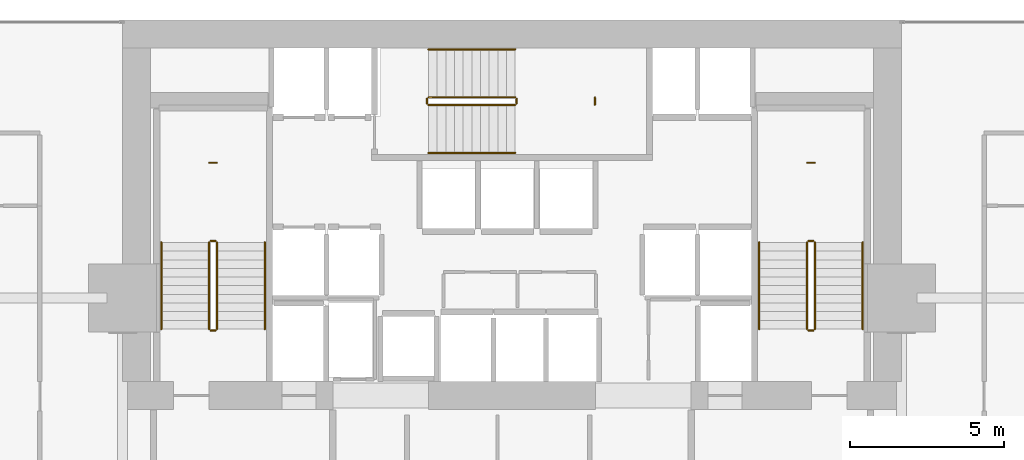
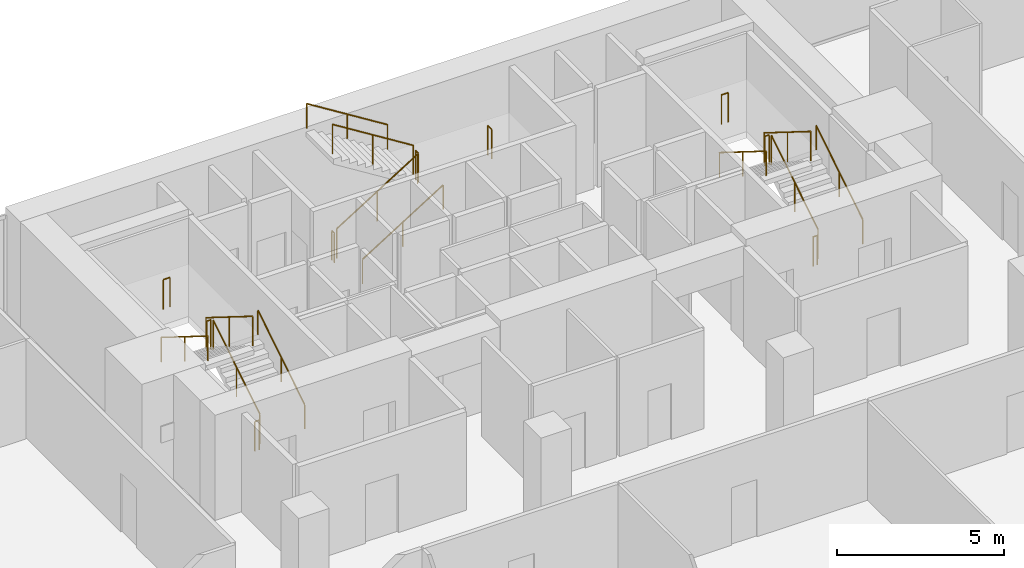
# One storey, part 40 of 40: 21 railings.
"""IFC4 building model written with IfcOpenShell, lengths in metres."""

from ifc_helpers import new_model, si_unit, direction, frame, origin, origin_2d, place, context, subcontext, project, spatial, circle, extrude, material, type_object, element, save


model = new_model("IFC4")

# Units and contexts
model_context = context("Model", 3, precision=1e-05, world=origin(), true_north=direction((0.0, 1.0)))
body_context = subcontext(model_context, "Body", "Model", "MODEL_VIEW")
ifc_project = project(units=[si_unit("LENGTHUNIT", "METRE"), si_unit("AREAUNIT", "SQUARE_METRE"), si_unit("VOLUMEUNIT", "CUBIC_METRE"), si_unit("PLANEANGLEUNIT", "RADIAN"), si_unit("MASSUNIT", "GRAM", prefix="KILO")], contexts=[model_context])

# Site, building, storey
site_placement = place(None, origin())
site = spatial("IfcSite", under=ifc_project, at=site_placement, CompositionType="ELEMENT")
building_placement = place(site_placement, origin())
building = spatial("IfcBuilding", under=site, at=building_placement, Name="Maruvema Waterfront Hotel and Observation Tower", CompositionType="ELEMENT")
storey_placement = place(building_placement, frame((0.0, 0.0, 73.14990234375)))
storey = spatial("IfcBuildingStorey", under=building, at=storey_placement, Name="L17", CompositionType="ELEMENT", Elevation=73.14990234375)

# Railings
ifc_material_1 = material(Name="Brushed stainless steel Grade 316", Category="steel")
railing_type_1 = type_object("IfcRailingType", Name="Ramp Continuous Wall Handrail 920 mm", PredefinedType="HANDRAIL", material=ifc_material_1)
railing_1_placement = place(storey_placement, frame((29.800048828125, 44.0, 0.175048828125)))
element("IfcRailing", 1, at=railing_1_placement, inside=storey, type_object=railing_type_1, Name="L17 ST-01 stair handrail 1", PredefinedType="HANDRAIL", context=body_context, shape_type="SweptSolid", body=[
    extrude(circle(Radius=0.02392578125, at=origin_2d()), frame((0.0, 0.0, 0.89599609375), z_axis=(0.0, 0.848002457836, 0.529992293815), x_axis=(-1.0, 0.0, 0.0)), (0.0, 0.0, 1.0), 3.302001953125),
    extrude(circle(Radius=0.02099609375, at=origin_2d()), origin(), (0.0, 0.0, 1.0), 0.871826171875),
    extrude(circle(Radius=0.02099609375, at=origin_2d()), frame((0.0, 1.39990234375, 0.875)), (0.0, 0.0, 1.0), 0.871826171875),
    extrude(circle(Radius=0.02099609375, at=origin_2d()), frame((0.0, 2.800048828125, 1.75)), (0.0, 0.0, 1.0), 0.871826171875),
])
railing_2_placement = place(storey_placement, frame((26.449951171875, 46.800048828125, 2.10009765625)))
element("IfcRailing", 2, at=railing_2_placement, inside=storey, type_object=railing_type_1, Name="L17 ST-01 stair handrail 2", PredefinedType="HANDRAIL", context=body_context, shape_type="SweptSolid", body=[
    extrude(circle(Radius=0.02392578125, at=origin_2d()), frame((0.0, 0.0, 0.89599609375), z_axis=(0.0, -0.848002457836, 0.529992293815), x_axis=(1.0, 0.0, 0.0)), (0.0, 0.0, 1.0), 3.302001953125),
    extrude(circle(Radius=0.02099609375, at=origin_2d()), origin(), (0.0, 0.0, 1.0), 0.871826171875),
    extrude(circle(Radius=0.02099609375, at=origin_2d()), frame((0.0, -1.39990234375, 0.875)), (0.0, 0.0, 1.0), 0.871826171875),
    extrude(circle(Radius=0.02099609375, at=origin_2d()), frame((0.0, -2.800048828125, 1.75)), (0.0, 0.0, 1.0), 0.871826171875),
])
railing_3_placement = place(storey_placement, frame((35.10009765625, 49.699951171875, 0.175048828125)))
element("IfcRailing", 3, at=railing_3_placement, inside=storey, type_object=railing_type_1, Name="L17 ST-02 stair handrail 1", PredefinedType="HANDRAIL", context=body_context, shape_type="SweptSolid", body=[
    extrude(circle(Radius=0.02392578125, at=origin_2d()), frame((0.0, 0.0, 0.89599609375), z_axis=(0.847981687118, 0.0, 0.530025526095), x_axis=(0.0, 1.0, 0.0)), (0.0, 0.0, 1.0), 3.3017578125),
    extrude(circle(Radius=0.02099609375, at=origin_2d()), origin(), (0.0, 0.0, 1.0), 0.871826171875),
    extrude(circle(Radius=0.02099609375, at=origin_2d()), frame((1.39990234375, 0.0, 0.875)), (0.0, 0.0, 1.0), 0.871826171875),
    extrude(circle(Radius=0.02099609375, at=origin_2d()), frame((2.7998046875, 0.0, 1.75)), (0.0, 0.0, 1.0), 0.871826171875),
])
railing_4_placement = place(storey_placement, frame((37.89990234375, 53.050048828125, 2.10009765625)))
element("IfcRailing", 4, at=railing_4_placement, inside=storey, type_object=railing_type_1, Name="L17 ST-02 stair handrail 2", PredefinedType="HANDRAIL", context=body_context, shape_type="SweptSolid", body=[
    extrude(circle(Radius=0.02392578125, at=origin_2d()), frame((0.0, 0.0, 0.89599609375), z_axis=(-0.847981687118, 0.0, 0.530025526095), x_axis=(0.0, -1.0, 0.0)), (0.0, 0.0, 1.0), 3.3017578125),
    extrude(circle(Radius=0.02099609375, at=origin_2d()), origin(), (0.0, 0.0, 1.0), 0.871826171875),
    extrude(circle(Radius=0.02099609375, at=origin_2d()), frame((-1.39990234375, 0.0, 0.875)), (0.0, 0.0, 1.0), 0.871826171875),
    extrude(circle(Radius=0.02099609375, at=origin_2d()), frame((-2.7998046875, 0.0, 1.75)), (0.0, 0.0, 1.0), 0.871826171875),
])
railing_5_placement = place(storey_placement, frame((49.14990234375, 44.0, 0.175048828125)))
element("IfcRailing", 5, at=railing_5_placement, inside=storey, type_object=railing_type_1, Name="L17 ST-03 stair handrail 1", PredefinedType="HANDRAIL", context=body_context, shape_type="SweptSolid", body=[
    extrude(circle(Radius=0.02392578125, at=origin_2d()), frame((0.0, 0.0, 0.89599609375), z_axis=(0.0, 0.848002457836, 0.529992293815), x_axis=(-1.0, 0.0, 0.0)), (0.0, 0.0, 1.0), 3.302001953125),
    extrude(circle(Radius=0.02099609375, at=origin_2d()), origin(), (0.0, 0.0, 1.0), 0.871826171875),
    extrude(circle(Radius=0.02099609375, at=origin_2d()), frame((0.0, 1.39990234375, 0.875)), (0.0, 0.0, 1.0), 0.871826171875),
    extrude(circle(Radius=0.02099609375, at=origin_2d()), frame((0.0, 2.800048828125, 1.75)), (0.0, 0.0, 1.0), 0.871826171875),
])
railing_6_placement = place(storey_placement, frame((45.800048828125, 46.800048828125, 2.10009765625)))
element("IfcRailing", 6, at=railing_6_placement, inside=storey, type_object=railing_type_1, Name="L17 ST-03 stair handrail 2", PredefinedType="HANDRAIL", context=body_context, shape_type="SweptSolid", body=[
    extrude(circle(Radius=0.02392578125, at=origin_2d()), frame((0.0, 0.0, 0.89599609375), z_axis=(0.0, -0.848002457836, 0.529992293815), x_axis=(1.0, 0.0, 0.0)), (0.0, 0.0, 1.0), 3.302001953125),
    extrude(circle(Radius=0.02099609375, at=origin_2d()), origin(), (0.0, 0.0, 1.0), 0.871826171875),
    extrude(circle(Radius=0.02099609375, at=origin_2d()), frame((0.0, -1.39990234375, 0.875)), (0.0, 0.0, 1.0), 0.871826171875),
    extrude(circle(Radius=0.02099609375, at=origin_2d()), frame((0.0, -2.800048828125, 1.75)), (0.0, 0.0, 1.0), 0.871826171875),
])
ifc_material_2 = material(Name="Brushed stainless steel Grade 316", Category="steel")
railing_type_2 = type_object("IfcRailingType", Name="Ramp and Terrace Guard Balustrade 1100 mm", PredefinedType="BALUSTRADE", material=ifc_material_2)
railing_7_placement = place(storey_placement, frame((28.25, 44.0, 0.175048828125)))
element("IfcRailing", 7, at=railing_7_placement, inside=storey, type_object=railing_type_2, Name="L17 ST-01 stair guard 1", PredefinedType="BALUSTRADE", context=body_context, shape_type="SweptSolid", body=[
    extrude(circle(Radius=0.02392578125, at=origin_2d()), frame((0.0, 0.0, 1.076171875), z_axis=(0.0, 0.848002457836, 0.529992293815), x_axis=(-1.0, 0.0, 0.0)), (0.0, 0.0, 1.0), 3.302001953125),
    extrude(circle(Radius=0.02099609375, at=origin_2d()), origin(), (0.0, 0.0, 1.0), 1.052001953125),
    extrude(circle(Radius=0.02099609375, at=origin_2d()), frame((0.0, 1.39990234375, 0.875)), (0.0, 0.0, 1.0), 1.052001953125),
    extrude(circle(Radius=0.02099609375, at=origin_2d()), frame((0.0, 2.800048828125, 1.75)), (0.0, 0.0, 1.0), 1.052001953125),
])
railing_8_placement = place(storey_placement, frame((28.199951171875, 46.85009765625, 1.925048828125)))
element("IfcRailing", 8, at=railing_8_placement, inside=storey, type_object=railing_type_2, Name="L17 ST-01 stair guard 2", PredefinedType="BALUSTRADE", context=body_context, shape_type="SweptSolid", body=[
    extrude(circle(Radius=0.02392578125, at=origin_2d()), frame((0.0, 0.0, 1.076171875), z_axis=(-1.0, 0.0, 0.0), x_axis=(0.0, -1.0, 0.0)), (0.0, 0.0, 1.0), 0.14990234375),
    extrude(circle(Radius=0.02099609375, at=origin_2d()), origin(), (0.0, 0.0, 1.0), 1.052001953125),
    extrude(circle(Radius=0.02099609375, at=origin_2d()), frame((-0.14990234375, 0.0, 0.0)), (0.0, 0.0, 1.0), 1.052001953125),
])
railing_9_placement = place(storey_placement, frame((28.0, 46.800048828125, 2.10009765625)))
element("IfcRailing", 9, at=railing_9_placement, inside=storey, type_object=railing_type_2, Name="L17 ST-01 stair guard 3", PredefinedType="BALUSTRADE", context=body_context, shape_type="SweptSolid", body=[
    extrude(circle(Radius=0.02392578125, at=origin_2d()), frame((0.0, 0.0, 1.076171875), z_axis=(0.0, -0.848002457836, 0.529992293815), x_axis=(1.0, 0.0, 0.0)), (0.0, 0.0, 1.0), 3.302001953125),
    extrude(circle(Radius=0.02099609375, at=origin_2d()), origin(), (0.0, 0.0, 1.0), 1.052001953125),
    extrude(circle(Radius=0.02099609375, at=origin_2d()), frame((0.0, -1.39990234375, 0.875)), (0.0, 0.0, 1.0), 1.052001953125),
    extrude(circle(Radius=0.02099609375, at=origin_2d()), frame((0.0, -2.800048828125, 1.75)), (0.0, 0.0, 1.0), 1.052001953125),
])
railing_10_placement = place(storey_placement, frame((28.199951171875, 43.949951171875, 0.0)))
element("IfcRailing", 10, at=railing_10_placement, inside=storey, type_object=railing_type_2, Name="L17 ST-01 stair guard 4", PredefinedType="BALUSTRADE", context=body_context, shape_type="SweptSolid", body=[
    extrude(circle(Radius=0.02392578125, at=origin_2d()), frame((0.0, 0.0, 1.076171875), z_axis=(-1.0, 0.0, 0.0), x_axis=(0.0, -1.0, 0.0)), (0.0, 0.0, 1.0), 0.14990234375),
    extrude(circle(Radius=0.02099609375, at=origin_2d()), origin(), (0.0, 0.0, 1.0), 1.052001953125),
    extrude(circle(Radius=0.02099609375, at=origin_2d()), frame((-0.14990234375, 0.0, 0.0)), (0.0, 0.0, 1.0), 1.052001953125),
])
railing_11_placement = place(storey_placement, frame((28.239990234375, 49.3798828125, 1.925048828125)))
element("IfcRailing", 11, at=railing_11_placement, inside=storey, type_object=railing_type_2, Name="L17 ST-01 Half-Landing Slot Guard", PredefinedType="BALUSTRADE", context=body_context, shape_type="SweptSolid", body=[
    extrude(circle(Radius=0.02392578125, at=origin_2d()), frame((0.0, 0.0, 1.076171875), z_axis=(-1.0, 0.0, 0.0), x_axis=(0.0, -1.0, 0.0)), (0.0, 0.0, 1.0), 0.22998046875),
    extrude(circle(Radius=0.02099609375, at=origin_2d()), origin(), (0.0, 0.0, 1.0), 1.052001953125),
    extrude(circle(Radius=0.02099609375, at=origin_2d()), frame((-0.22998046875, 0.0, 0.0)), (0.0, 0.0, 1.0), 1.052001953125),
])
railing_12_placement = place(storey_placement, frame((35.10009765625, 51.25, 0.175048828125)))
element("IfcRailing", 12, at=railing_12_placement, inside=storey, type_object=railing_type_2, Name="L17 ST-02 stair guard 1", PredefinedType="BALUSTRADE", context=body_context, shape_type="SweptSolid", body=[
    extrude(circle(Radius=0.02392578125, at=origin_2d()), frame((0.0, 0.0, 1.076171875), z_axis=(0.847981687118, 0.0, 0.530025526095), x_axis=(0.0, 1.0, 0.0)), (0.0, 0.0, 1.0), 3.3017578125),
    extrude(circle(Radius=0.02099609375, at=origin_2d()), origin(), (0.0, 0.0, 1.0), 1.052001953125),
    extrude(circle(Radius=0.02099609375, at=origin_2d()), frame((1.39990234375, 0.0, 0.875)), (0.0, 0.0, 1.0), 1.052001953125),
    extrude(circle(Radius=0.02099609375, at=origin_2d()), frame((2.7998046875, 0.0, 1.75)), (0.0, 0.0, 1.0), 1.052001953125),
])
railing_13_placement = place(storey_placement, frame((37.949951171875, 51.300048828125, 1.925048828125)))
element("IfcRailing", 13, at=railing_13_placement, inside=storey, type_object=railing_type_2, Name="L17 ST-02 stair guard 2", PredefinedType="BALUSTRADE", context=body_context, shape_type="SweptSolid", body=[
    extrude(circle(Radius=0.02392578125, at=origin_2d()), frame((0.0, 0.0, 1.076171875), z_axis=(0.0, 1.0, 0.0), x_axis=(-1.0, 0.0, 0.0)), (0.0, 0.0, 1.0), 0.14990234375),
    extrude(circle(Radius=0.02099609375, at=origin_2d()), origin(), (0.0, 0.0, 1.0), 1.052001953125),
    extrude(circle(Radius=0.02099609375, at=origin_2d()), frame((0.0, 0.14990234375, 0.0)), (0.0, 0.0, 1.0), 1.052001953125),
])
railing_14_placement = place(storey_placement, frame((37.89990234375, 51.5, 2.10009765625)))
element("IfcRailing", 14, at=railing_14_placement, inside=storey, type_object=railing_type_2, Name="L17 ST-02 stair guard 3", PredefinedType="BALUSTRADE", context=body_context, shape_type="SweptSolid", body=[
    extrude(circle(Radius=0.02392578125, at=origin_2d()), frame((0.0, 0.0, 1.076171875), z_axis=(-0.847981687118, 0.0, 0.530025526095), x_axis=(0.0, -1.0, 0.0)), (0.0, 0.0, 1.0), 3.3017578125),
    extrude(circle(Radius=0.02099609375, at=origin_2d()), origin(), (0.0, 0.0, 1.0), 1.052001953125),
    extrude(circle(Radius=0.02099609375, at=origin_2d()), frame((-1.39990234375, 0.0, 0.875)), (0.0, 0.0, 1.0), 1.052001953125),
    extrude(circle(Radius=0.02099609375, at=origin_2d()), frame((-2.7998046875, 0.0, 1.75)), (0.0, 0.0, 1.0), 1.052001953125),
])
railing_15_placement = place(storey_placement, frame((35.050048828125, 51.300048828125, 0.0)))
element("IfcRailing", 15, at=railing_15_placement, inside=storey, type_object=railing_type_2, Name="L17 ST-02 stair guard 4", PredefinedType="BALUSTRADE", context=body_context, shape_type="SweptSolid", body=[
    extrude(circle(Radius=0.02392578125, at=origin_2d()), frame((0.0, 0.0, 1.076171875), z_axis=(0.0, 1.0, 0.0), x_axis=(-1.0, 0.0, 0.0)), (0.0, 0.0, 1.0), 0.14990234375),
    extrude(circle(Radius=0.02099609375, at=origin_2d()), origin(), (0.0, 0.0, 1.0), 1.052001953125),
    extrude(circle(Radius=0.02099609375, at=origin_2d()), frame((0.0, 0.14990234375, 0.0)), (0.0, 0.0, 1.0), 1.052001953125),
])
railing_16_placement = place(storey_placement, frame((40.47998046875, 51.260009765625, 1.925048828125)))
element("IfcRailing", 16, at=railing_16_placement, inside=storey, type_object=railing_type_2, Name="L17 ST-02 Half-Landing Slot Guard", PredefinedType="BALUSTRADE", context=body_context, shape_type="SweptSolid", body=[
    extrude(circle(Radius=0.02392578125, at=origin_2d()), frame((0.0, 0.0, 1.076171875), z_axis=(0.0, 1.0, 0.0), x_axis=(-1.0, 0.0, 0.0)), (0.0, 0.0, 1.0), 0.22998046875),
    extrude(circle(Radius=0.02099609375, at=origin_2d()), origin(), (0.0, 0.0, 1.0), 1.052001953125),
    extrude(circle(Radius=0.02099609375, at=origin_2d()), frame((0.0, 0.22998046875, 0.0)), (0.0, 0.0, 1.0), 1.052001953125),
])
railing_17_placement = place(storey_placement, frame((47.60009765625, 44.0, 0.175048828125)))
element("IfcRailing", 17, at=railing_17_placement, inside=storey, type_object=railing_type_2, Name="L17 ST-03 stair guard 1", PredefinedType="BALUSTRADE", context=body_context, shape_type="SweptSolid", body=[
    extrude(circle(Radius=0.02392578125, at=origin_2d()), frame((0.0, 0.0, 1.076171875), z_axis=(0.0, 0.848002457836, 0.529992293815), x_axis=(-1.0, 0.0, 0.0)), (0.0, 0.0, 1.0), 3.302001953125),
    extrude(circle(Radius=0.02099609375, at=origin_2d()), origin(), (0.0, 0.0, 1.0), 1.052001953125),
    extrude(circle(Radius=0.02099609375, at=origin_2d()), frame((0.0, 1.39990234375, 0.875)), (0.0, 0.0, 1.0), 1.052001953125),
    extrude(circle(Radius=0.02099609375, at=origin_2d()), frame((0.0, 2.800048828125, 1.75)), (0.0, 0.0, 1.0), 1.052001953125),
])
railing_18_placement = place(storey_placement, frame((47.550048828125, 46.85009765625, 1.925048828125)))
element("IfcRailing", 18, at=railing_18_placement, inside=storey, type_object=railing_type_2, Name="L17 ST-03 stair guard 2", PredefinedType="BALUSTRADE", context=body_context, shape_type="SweptSolid", body=[
    extrude(circle(Radius=0.02392578125, at=origin_2d()), frame((0.0, 0.0, 1.076171875), z_axis=(-1.0, 0.0, 0.0), x_axis=(0.0, -1.0, 0.0)), (0.0, 0.0, 1.0), 0.150146484375),
    extrude(circle(Radius=0.02099609375, at=origin_2d()), origin(), (0.0, 0.0, 1.0), 1.052001953125),
    extrude(circle(Radius=0.02099609375, at=origin_2d()), frame((-0.150146484375, 0.0, 0.0)), (0.0, 0.0, 1.0), 1.052001953125),
])
railing_19_placement = place(storey_placement, frame((47.35009765625, 46.800048828125, 2.10009765625)))
element("IfcRailing", 19, at=railing_19_placement, inside=storey, type_object=railing_type_2, Name="L17 ST-03 stair guard 3", PredefinedType="BALUSTRADE", context=body_context, shape_type="SweptSolid", body=[
    extrude(circle(Radius=0.02392578125, at=origin_2d()), frame((0.0, 0.0, 1.076171875), z_axis=(0.0, -0.848002457836, 0.529992293815), x_axis=(1.0, 0.0, 0.0)), (0.0, 0.0, 1.0), 3.302001953125),
    extrude(circle(Radius=0.02099609375, at=origin_2d()), origin(), (0.0, 0.0, 1.0), 1.052001953125),
    extrude(circle(Radius=0.02099609375, at=origin_2d()), frame((0.0, -1.39990234375, 0.875)), (0.0, 0.0, 1.0), 1.052001953125),
    extrude(circle(Radius=0.02099609375, at=origin_2d()), frame((0.0, -2.800048828125, 1.75)), (0.0, 0.0, 1.0), 1.052001953125),
])
railing_20_placement = place(storey_placement, frame((47.550048828125, 43.949951171875, 0.0)))
element("IfcRailing", 20, at=railing_20_placement, inside=storey, type_object=railing_type_2, Name="L17 ST-03 stair guard 4", PredefinedType="BALUSTRADE", context=body_context, shape_type="SweptSolid", body=[
    extrude(circle(Radius=0.02392578125, at=origin_2d()), frame((0.0, 0.0, 1.076171875), z_axis=(-1.0, 0.0, 0.0), x_axis=(0.0, -1.0, 0.0)), (0.0, 0.0, 1.0), 0.150146484375),
    extrude(circle(Radius=0.02099609375, at=origin_2d()), origin(), (0.0, 0.0, 1.0), 1.052001953125),
    extrude(circle(Radius=0.02099609375, at=origin_2d()), frame((-0.150146484375, 0.0, 0.0)), (0.0, 0.0, 1.0), 1.052001953125),
])
railing_21_placement = place(storey_placement, frame((47.590087890625, 49.3798828125, 1.925048828125)))
element("IfcRailing", 21, at=railing_21_placement, inside=storey, type_object=railing_type_2, Name="L17 ST-03 Half-Landing Slot Guard", PredefinedType="BALUSTRADE", context=body_context, shape_type="SweptSolid", body=[
    extrude(circle(Radius=0.02392578125, at=origin_2d()), frame((0.0, 0.0, 1.076171875), z_axis=(-1.0, 0.0, 0.0), x_axis=(0.0, -1.0, 0.0)), (0.0, 0.0, 1.0), 0.22998046875),
    extrude(circle(Radius=0.02099609375, at=origin_2d()), origin(), (0.0, 0.0, 1.0), 1.052001953125),
    extrude(circle(Radius=0.02099609375, at=origin_2d()), frame((-0.22998046875, 0.0, 0.0)), (0.0, 0.0, 1.0), 1.052001953125),
])

save(model, "model.ifc")
